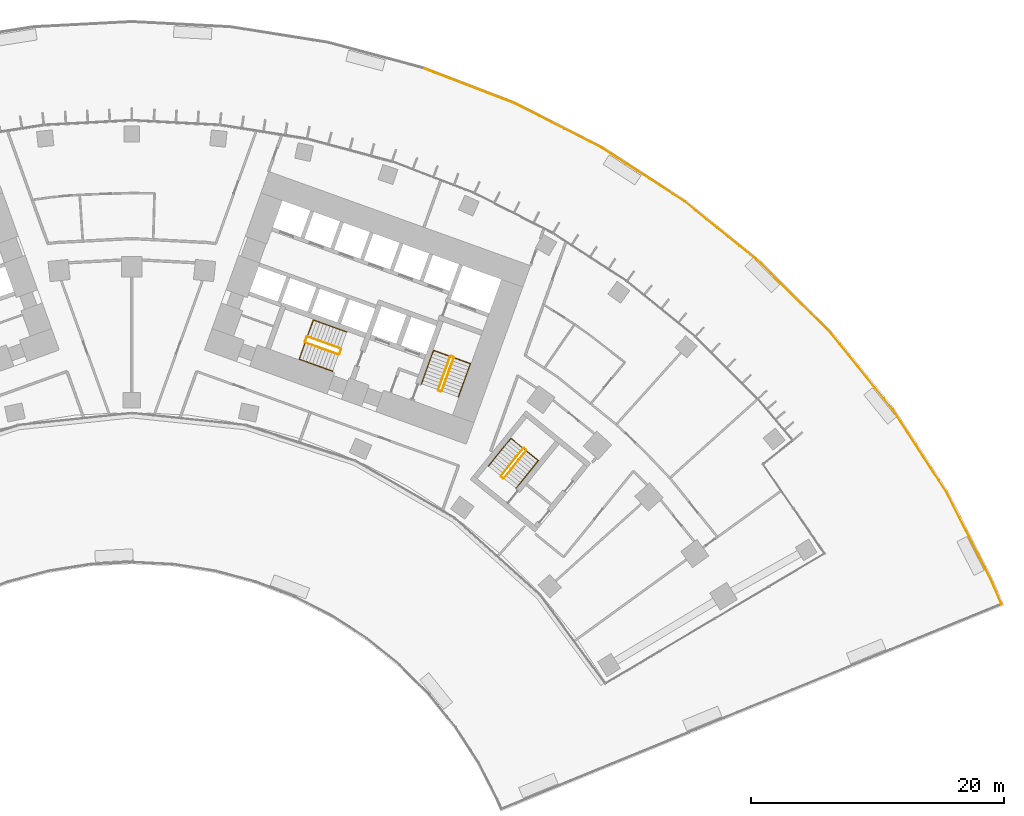
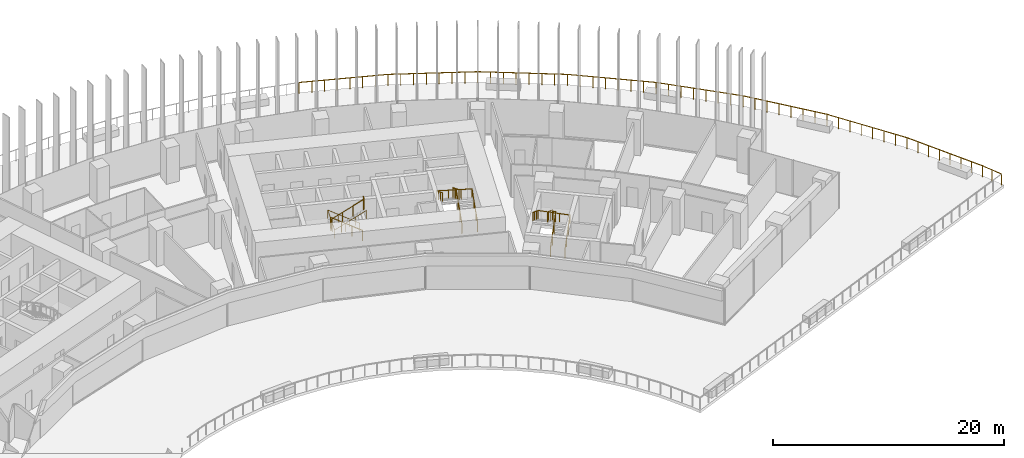
# One storey, part 24 of 24: 10 railings.
"""IFC4 building model written with IfcOpenShell, lengths in metres."""

from ifc_helpers import new_model, si_unit, direction, frame, origin, origin_2d, place, context, subcontext, project, spatial, circle, extrude, material, type_object, element, save


model = new_model("IFC4")

# Units and contexts
model_context = context("Model", 3, precision=1e-05, world=origin(), true_north=direction((0.0, 1.0)))
body_context = subcontext(model_context, "Body", "Model", "MODEL_VIEW")
ifc_project = project(units=[si_unit("LENGTHUNIT", "METRE"), si_unit("AREAUNIT", "SQUARE_METRE"), si_unit("VOLUMEUNIT", "CUBIC_METRE"), si_unit("PLANEANGLEUNIT", "RADIAN"), si_unit("MASSUNIT", "GRAM", prefix="KILO")], contexts=[model_context])

# Site, building, storey
site_placement = place(None, origin())
site = spatial("IfcSite", under=ifc_project, at=site_placement, CompositionType="ELEMENT")
building_placement = place(site_placement, origin())
building = spatial("IfcBuilding", under=site, at=building_placement, Name="Stone Belt Terrace Tower", CompositionType="ELEMENT")
storey_placement = place(building_placement, frame((0.0, 0.0, 30.0)))
storey = spatial("IfcBuildingStorey", under=building, at=storey_placement, Name="L06", CompositionType="ELEMENT", Elevation=30.0)

# Railings
ifc_material_1 = material(Name="Structural steel C345", Category="steel")
railing_type_1 = type_object("IfcRailingType", Name="Stair guard 1100", PredefinedType="GUARDRAIL", material=ifc_material_1)
railing_1_placement = place(storey_placement, frame((24.494140625, 45.174560546875, 0.172607421875)))
element("IfcRailing", 1, at=railing_1_placement, inside=storey, type_object=railing_type_1, Name="L06 ST1B stair guard 1", PredefinedType="GUARDRAIL", context=body_context, shape_type="SweptSolid", body=[
    extrude(circle(Radius=0.02392578125, at=origin_2d()), frame((0.0, 0.0, 1.076171875), z_axis=(0.288228637646, 0.800791768495, 0.525030280985), x_axis=(-0.940908529223, 0.338660803216, 0.0)), (0.0, 0.0, 1.0), 3.289794921875),
    extrude(circle(Radius=0.02392578125, at=origin_2d()), frame((0.9482421875, 2.634521484375, 2.80322265625), z_axis=(-0.424964916, 0.905209821074, 0.0), x_axis=(-0.905209821074, -0.424964916, 0.0)), (0.0, 0.0, 1.0), 0.070556640625),
    extrude(circle(Radius=0.02392578125, at=origin_2d()), frame((0.918212890625, 2.698486328125, 2.80322265625), z_axis=(-0.941105063269, 0.338114270461, 0.0), x_axis=(-0.338114270461, -0.941105063269, 0.0)), (0.0, 0.0, 1.0), 0.199951171875),
    extrude(circle(Radius=0.02099609375, at=origin_2d()), origin(), (0.0, 0.0, 1.0), 1.052001953125),
    extrude(circle(Radius=0.02099609375, at=origin_2d()), frame((0.316162109375, 0.878173828125, 0.57568359375)), (0.0, 0.0, 1.0), 1.052001953125),
    extrude(circle(Radius=0.02099609375, at=origin_2d()), frame((0.632080078125, 1.75634765625, 1.151611328125)), (0.0, 0.0, 1.0), 1.052001953125),
    extrude(circle(Radius=0.02099609375, at=origin_2d()), frame((0.9482421875, 2.634521484375, 1.727294921875)), (0.0, 0.0, 1.0), 1.052001953125),
    extrude(circle(Radius=0.02099609375, at=origin_2d()), frame((0.918212890625, 2.698486328125, 1.727294921875)), (0.0, 0.0, 1.0), 1.052001953125),
    extrude(circle(Radius=0.02099609375, at=origin_2d()), frame((0.72998046875, 2.76611328125, 1.727294921875)), (0.0, 0.0, 1.0), 1.052001953125),
])
railing_2_placement = place(storey_placement, frame((25.16015625, 47.91064453125, 2.07275390625)))
element("IfcRailing", 2, at=railing_2_placement, inside=storey, type_object=railing_type_1, Name="L06 ST1B stair guard 2", PredefinedType="GUARDRAIL", context=body_context, shape_type="SweptSolid", body=[
    extrude(circle(Radius=0.02392578125, at=origin_2d()), frame((0.0, 0.0, 1.076171875), z_axis=(-0.288228637646, -0.800791768495, 0.525030280985), x_axis=(0.940908529223, -0.338660803216, 0.0)), (0.0, 0.0, 1.0), 3.289794921875),
    extrude(circle(Radius=0.02392578125, at=origin_2d()), frame((-0.9482421875, -2.634521484375, 2.80322265625), z_axis=(0.427789722475, -0.903878284585, 0.0), x_axis=(0.903878284585, 0.427789722475, 0.0)), (0.0, 0.0, 1.0), 0.07080078125),
    extrude(circle(Radius=0.02392578125, at=origin_2d()), frame((-0.91796875, -2.698486328125, 2.80322265625), z_axis=(0.940575576748, -0.339584429008, 0.0), x_axis=(0.339584429008, 0.940575576748, 0.0)), (0.0, 0.0, 1.0), 0.199951171875),
    extrude(circle(Radius=0.02099609375, at=origin_2d()), origin(), (0.0, 0.0, 1.0), 1.052001953125),
    extrude(circle(Radius=0.02099609375, at=origin_2d()), frame((-0.316162109375, -0.878173828125, 0.57568359375)), (0.0, 0.0, 1.0), 1.052001953125),
    extrude(circle(Radius=0.02099609375, at=origin_2d()), frame((-0.632080078125, -1.75634765625, 1.151611328125)), (0.0, 0.0, 1.0), 1.052001953125),
    extrude(circle(Radius=0.02099609375, at=origin_2d()), frame((-0.9482421875, -2.634521484375, 1.727294921875)), (0.0, 0.0, 1.0), 1.052001953125),
    extrude(circle(Radius=0.02099609375, at=origin_2d()), frame((-0.91796875, -2.698486328125, 1.727294921875)), (0.0, 0.0, 1.0), 1.052001953125),
    extrude(circle(Radius=0.02099609375, at=origin_2d()), frame((-0.72998046875, -2.766357421875, 1.727294921875)), (0.0, 0.0, 1.0), 1.052001953125),
])
railing_3_placement = place(storey_placement, frame((16.507568359375, 48.527099609375, 0.172607421875)))
element("IfcRailing", 3, at=railing_3_placement, inside=storey, type_object=railing_type_1, Name="L06 ST2B stair guard 1", PredefinedType="GUARDRAIL", context=body_context, shape_type="SweptSolid", body=[
    extrude(circle(Radius=0.02392578125, at=origin_2d()), frame((0.0, 0.0, 1.076171875), z_axis=(-0.800808895155, 0.288160591223, 0.52504150989), x_axis=(-0.338583606334, -0.940936311087, 0.0)), (0.0, 0.0, 1.0), 3.289794921875),
    extrude(circle(Radius=0.02392578125, at=origin_2d()), frame((-2.634521484375, 0.947998046875, 2.80322265625), z_axis=(-0.905209821074, -0.424964916, 0.0), x_axis=(0.424964916, -0.905209821074, 0.0)), (0.0, 0.0, 1.0), 0.070556640625),
    extrude(circle(Radius=0.02392578125, at=origin_2d()), frame((-2.698486328125, 0.91796875, 2.80322265625), z_axis=(-0.338654645739, -0.940910745459, 0.0), x_axis=(0.940910745459, -0.338654645739, 0.0)), (0.0, 0.0, 1.0), 0.400146484375),
    extrude(circle(Radius=0.02099609375, at=origin_2d()), origin(), (0.0, 0.0, 1.0), 1.052001953125),
    extrude(circle(Radius=0.02099609375, at=origin_2d()), frame((-0.878173828125, 0.31591796875, 0.57568359375)), (0.0, 0.0, 1.0), 1.052001953125),
    extrude(circle(Radius=0.02099609375, at=origin_2d()), frame((-1.75634765625, 0.632080078125, 1.151611328125)), (0.0, 0.0, 1.0), 1.052001953125),
    extrude(circle(Radius=0.02099609375, at=origin_2d()), frame((-2.634521484375, 0.947998046875, 1.727294921875)), (0.0, 0.0, 1.0), 1.052001953125),
    extrude(circle(Radius=0.02099609375, at=origin_2d()), frame((-2.698486328125, 0.91796875, 1.727294921875)), (0.0, 0.0, 1.0), 1.052001953125),
    extrude(circle(Radius=0.02099609375, at=origin_2d()), frame((-2.833984375, 0.54150390625, 1.727294921875)), (0.0, 0.0, 1.0), 1.052001953125),
])
railing_4_placement = place(storey_placement, frame((13.703857421875, 49.004638671875, 2.07275390625)))
element("IfcRailing", 4, at=railing_4_placement, inside=storey, type_object=railing_type_1, Name="L06 ST2B stair guard 2", PredefinedType="GUARDRAIL", context=body_context, shape_type="SweptSolid", body=[
    extrude(circle(Radius=0.02392578125, at=origin_2d()), frame((0.0, 0.0, 1.076171875), z_axis=(0.800808895155, -0.288160591223, 0.52504150989), x_axis=(0.338583606334, 0.940936311087, 0.0)), (0.0, 0.0, 1.0), 3.289794921875),
    extrude(circle(Radius=0.02392578125, at=origin_2d()), frame((2.634521484375, -0.947998046875, 2.80322265625), z_axis=(0.905209821074, 0.424964916, 0.0), x_axis=(-0.424964916, 0.905209821074, 0.0)), (0.0, 0.0, 1.0), 0.070556640625),
    extrude(circle(Radius=0.02392578125, at=origin_2d()), frame((2.698486328125, -0.91796875, 2.80322265625), z_axis=(0.338654645739, 0.940910745459, 0.0), x_axis=(-0.940910745459, 0.338654645739, 0.0)), (0.0, 0.0, 1.0), 0.400146484375),
    extrude(circle(Radius=0.02099609375, at=origin_2d()), origin(), (0.0, 0.0, 1.0), 1.052001953125),
    extrude(circle(Radius=0.02099609375, at=origin_2d()), frame((0.878173828125, -0.31591796875, 0.57568359375)), (0.0, 0.0, 1.0), 1.052001953125),
    extrude(circle(Radius=0.02099609375, at=origin_2d()), frame((1.75634765625, -0.632080078125, 1.151611328125)), (0.0, 0.0, 1.0), 1.052001953125),
    extrude(circle(Radius=0.02099609375, at=origin_2d()), frame((2.634521484375, -0.947998046875, 1.727294921875)), (0.0, 0.0, 1.0), 1.052001953125),
    extrude(circle(Radius=0.02099609375, at=origin_2d()), frame((2.698486328125, -0.91796875, 1.727294921875)), (0.0, 0.0, 1.0), 1.052001953125),
    extrude(circle(Radius=0.02099609375, at=origin_2d()), frame((2.833984375, -0.54150390625, 1.727294921875)), (0.0, 0.0, 1.0), 1.052001953125),
])
railing_5_placement = place(storey_placement, frame((29.39794921875, 38.281982421875, 0.172607421875)))
element("IfcRailing", 5, at=railing_5_placement, inside=storey, type_object=railing_type_1, Name="L06 ST3B stair guard 1", PredefinedType="GUARDRAIL", context=body_context, shape_type="SweptSolid", body=[
    extrude(circle(Radius=0.02392578125, at=origin_2d()), frame((0.0, 0.0, 1.076171875), z_axis=(0.536393061503, 0.660769759217, 0.525038864158), x_axis=(-0.776391310223, 0.630251166924, 0.0)), (0.0, 0.0, 1.0), 3.289794921875),
    extrude(circle(Radius=0.02392578125, at=origin_2d()), frame((1.7646484375, 2.173828125, 2.80322265625), z_axis=(-0.103251414163, 0.994655289773, 0.0), x_axis=(-0.994655289773, -0.103251414163, 0.0)), (0.0, 0.0, 1.0), 0.071044921875),
    extrude(circle(Radius=0.02392578125, at=origin_2d()), frame((1.75732421875, 2.244384765625, 2.80322265625), z_axis=(-0.776561986372, 0.630040856868, 0.0), x_axis=(-0.630040856868, -0.776561986372, 0.0)), (0.0, 0.0, 1.0), 0.199951171875),
    extrude(circle(Radius=0.02099609375, at=origin_2d()), origin(), (0.0, 0.0, 1.0), 1.052001953125),
    extrude(circle(Radius=0.02099609375, at=origin_2d()), frame((0.588134765625, 0.724609375, 0.57568359375)), (0.0, 0.0, 1.0), 1.052001953125),
    extrude(circle(Radius=0.02099609375, at=origin_2d()), frame((1.176513671875, 1.44921875, 1.151611328125)), (0.0, 0.0, 1.0), 1.052001953125),
    extrude(circle(Radius=0.02099609375, at=origin_2d()), frame((1.7646484375, 2.173828125, 1.727294921875)), (0.0, 0.0, 1.0), 1.052001953125),
    extrude(circle(Radius=0.02099609375, at=origin_2d()), frame((1.75732421875, 2.244384765625, 1.727294921875)), (0.0, 0.0, 1.0), 1.052001953125),
    extrude(circle(Radius=0.02099609375, at=origin_2d()), frame((1.60205078125, 2.370361328125, 1.727294921875)), (0.0, 0.0, 1.0), 1.052001953125),
])
railing_6_placement = place(storey_placement, frame((30.9296875, 40.64501953125, 2.07275390625)))
element("IfcRailing", 6, at=railing_6_placement, inside=storey, type_object=railing_type_1, Name="L06 ST3B stair guard 2", PredefinedType="GUARDRAIL", context=body_context, shape_type="SweptSolid", body=[
    extrude(circle(Radius=0.02392578125, at=origin_2d()), frame((0.0, 0.0, 1.076171875), z_axis=(-0.536366759382, -0.660811565066, 0.525013118792), x_axis=(0.776425942316, -0.630208502084, 0.0)), (0.0, 0.0, 1.0), 3.2900390625),
    extrude(circle(Radius=0.02392578125, at=origin_2d()), frame((-1.7646484375, -2.174072265625, 2.80322265625), z_axis=(0.103606084259, -0.994618408891, 0.0), x_axis=(0.994618408891, 0.103606084259, 0.0)), (0.0, 0.0, 1.0), 0.07080078125),
    extrude(circle(Radius=0.02392578125, at=origin_2d()), frame((-1.75732421875, -2.244384765625, 2.80322265625), z_axis=(0.776561986372, -0.630040856868, 0.0), x_axis=(0.630040856868, 0.776561986372, 0.0)), (0.0, 0.0, 1.0), 0.199951171875),
    extrude(circle(Radius=0.02099609375, at=origin_2d()), origin(), (0.0, 0.0, 1.0), 1.052001953125),
    extrude(circle(Radius=0.02099609375, at=origin_2d()), frame((-0.588134765625, -0.724609375, 0.57568359375)), (0.0, 0.0, 1.0), 1.052001953125),
    extrude(circle(Radius=0.02099609375, at=origin_2d()), frame((-1.176513671875, -1.449462890625, 1.151611328125)), (0.0, 0.0, 1.0), 1.052001953125),
    extrude(circle(Radius=0.02099609375, at=origin_2d()), frame((-1.7646484375, -2.174072265625, 1.727294921875)), (0.0, 0.0, 1.0), 1.052001953125),
    extrude(circle(Radius=0.02099609375, at=origin_2d()), frame((-1.75732421875, -2.244384765625, 1.727294921875)), (0.0, 0.0, 1.0), 1.052001953125),
    extrude(circle(Radius=0.02099609375, at=origin_2d()), frame((-1.60205078125, -2.370361328125, 1.727294921875)), (0.0, 0.0, 1.0), 1.052001953125),
])
railing_type_2 = type_object("IfcRailingType", Name="Stair handrail 900", PredefinedType="HANDRAIL", material=ifc_material_1)
railing_7_placement = place(storey_placement, frame((25.8115234375, 44.700439453125, 0.172607421875)))
element("IfcRailing", 7, at=railing_7_placement, inside=storey, type_object=railing_type_2, Name="L06 ST1B stair handrail 1", PredefinedType="HANDRAIL", context=body_context, shape_type="SweptSolid", body=[
    extrude(circle(Radius=0.02392578125, at=origin_2d()), frame((0.0, 0.0, 0.8759765625), z_axis=(0.288228637646, 0.800791768495, 0.525030280985), x_axis=(-0.940908529223, 0.338660803216, 0.0)), (0.0, 0.0, 1.0), 3.289794921875),
    extrude(circle(Radius=0.02392578125, at=origin_2d()), frame((0.9482421875, 2.634521484375, 2.60302734375), z_axis=(-0.939460408074, 0.338105101667, 0.055669398135), x_axis=(-0.338630230244, -0.940919532779, 0.0)), (0.0, 0.0, 1.0), 3.10498046875),
    extrude(circle(Radius=0.02392578125, at=origin_2d()), frame((-1.96875, 3.684326171875, 2.77587890625), z_axis=(-0.288160591223, -0.800808895155, 0.52504150989), x_axis=(0.940936311087, -0.338583606334, 0.0)), (0.0, 0.0, 1.0), 3.289794921875),
    extrude(circle(Radius=0.02099609375, at=origin_2d()), origin(), (0.0, 0.0, 1.0), 0.851806640625),
    extrude(circle(Radius=0.02099609375, at=origin_2d()), frame((0.316162109375, 0.878173828125, 0.57568359375)), (0.0, 0.0, 1.0), 0.851806640625),
    extrude(circle(Radius=0.02099609375, at=origin_2d()), frame((0.632080078125, 1.75634765625, 1.151611328125)), (0.0, 0.0, 1.0), 0.851806640625),
    extrude(circle(Radius=0.02099609375, at=origin_2d()), frame((0.9482421875, 2.634521484375, 1.727294921875)), (0.0, 0.0, 1.0), 0.851806640625),
    extrude(circle(Radius=0.02099609375, at=origin_2d()), frame((-0.024169921875, 2.984375, 1.784912109375)), (0.0, 0.0, 1.0), 0.851806640625),
    extrude(circle(Radius=0.02099609375, at=origin_2d()), frame((-0.996337890625, 3.33447265625, 1.842529296875)), (0.0, 0.0, 1.0), 0.851806640625),
    extrude(circle(Radius=0.02099609375, at=origin_2d()), frame((-1.96875, 3.684326171875, 1.900146484375)), (0.0, 0.0, 1.0), 0.851806640625),
    extrude(circle(Radius=0.02099609375, at=origin_2d()), frame((-2.28466796875, 2.80615234375, 2.475830078125)), (0.0, 0.0, 1.0), 0.851806640625),
    extrude(circle(Radius=0.02099609375, at=origin_2d()), frame((-2.600830078125, 1.927978515625, 3.0517578125)), (0.0, 0.0, 1.0), 0.851806640625),
    extrude(circle(Radius=0.02099609375, at=origin_2d()), frame((-2.916748046875, 1.0498046875, 3.62744140625)), (0.0, 0.0, 1.0), 0.851806640625),
])
railing_8_placement = place(storey_placement, frame((16.981689453125, 49.84423828125, 0.172607421875)))
element("IfcRailing", 8, at=railing_8_placement, inside=storey, type_object=railing_type_2, Name="L06 ST2B stair handrail 1", PredefinedType="HANDRAIL", context=body_context, shape_type="SweptSolid", body=[
    extrude(circle(Radius=0.02392578125, at=origin_2d()), frame((0.0, 0.0, 0.8759765625), z_axis=(-0.800791768495, 0.288228637646, 0.525030280985), x_axis=(-0.338660803216, -0.940908529223, 0.0)), (0.0, 0.0, 1.0), 3.289794921875),
    extrude(circle(Radius=0.02392578125, at=origin_2d()), frame((-2.634521484375, 0.9482421875, 2.60302734375), z_axis=(-0.338158948057, -0.939634149308, 0.052308615955), x_axis=(0.940922302781, -0.338622533404, 0.0)), (0.0, 0.0, 1.0), 3.304443359375),
    extrude(circle(Radius=0.02392578125, at=origin_2d()), frame((-3.751953125, -2.15673828125, 2.77587890625), z_axis=(0.800791768495, -0.288228637646, 0.525030280985), x_axis=(0.338660803216, 0.940908529223, 0.0)), (0.0, 0.0, 1.0), 3.289794921875),
    extrude(circle(Radius=0.02099609375, at=origin_2d()), origin(), (0.0, 0.0, 1.0), 0.851806640625),
    extrude(circle(Radius=0.02099609375, at=origin_2d()), frame((-0.878173828125, 0.316162109375, 0.57568359375)), (0.0, 0.0, 1.0), 0.851806640625),
    extrude(circle(Radius=0.02099609375, at=origin_2d()), frame((-1.75634765625, 0.632080078125, 1.151611328125)), (0.0, 0.0, 1.0), 0.851806640625),
    extrude(circle(Radius=0.02099609375, at=origin_2d()), frame((-2.634521484375, 0.9482421875, 1.727294921875)), (0.0, 0.0, 1.0), 0.851806640625),
    extrude(circle(Radius=0.02099609375, at=origin_2d()), frame((-3.007080078125, -0.086669921875, 1.784912109375)), (0.0, 0.0, 1.0), 0.851806640625),
    extrude(circle(Radius=0.02099609375, at=origin_2d()), frame((-3.37939453125, -1.121826171875, 1.842529296875)), (0.0, 0.0, 1.0), 0.851806640625),
    extrude(circle(Radius=0.02099609375, at=origin_2d()), frame((-3.751953125, -2.15673828125, 1.900146484375)), (0.0, 0.0, 1.0), 0.851806640625),
    extrude(circle(Radius=0.02099609375, at=origin_2d()), frame((-2.873779296875, -2.472900390625, 2.475830078125)), (0.0, 0.0, 1.0), 0.851806640625),
    extrude(circle(Radius=0.02099609375, at=origin_2d()), frame((-1.99560546875, -2.788818359375, 3.0517578125)), (0.0, 0.0, 1.0), 0.851806640625),
    extrude(circle(Radius=0.02099609375, at=origin_2d()), frame((-1.117431640625, -3.10498046875, 3.62744140625)), (0.0, 0.0, 1.0), 0.851806640625),
])
railing_9_placement = place(storey_placement, frame((30.36865234375, 37.494140625, 0.172607421875)))
element("IfcRailing", 9, at=railing_9_placement, inside=storey, type_object=railing_type_2, Name="L06 ST3B stair handrail 1", PredefinedType="HANDRAIL", context=body_context, shape_type="SweptSolid", body=[
    extrude(circle(Radius=0.02392578125, at=origin_2d()), frame((0.0, 0.0, 0.8759765625), z_axis=(0.536366759382, 0.660811565066, 0.525013118792), x_axis=(-0.776425942316, 0.630208502084, 0.0)), (0.0, 0.0, 1.0), 3.2900390625),
    extrude(circle(Radius=0.02392578125, at=origin_2d()), frame((1.7646484375, 2.174072265625, 2.60302734375), z_axis=(-0.774950814199, 0.629011171817, 0.061613158501), x_axis=(-0.630208502084, -0.776425942316, 0.0)), (0.0, 0.0, 1.0), 2.805419921875),
    extrude(circle(Radius=0.02392578125, at=origin_2d()), frame((-0.409423828125, 3.938720703125, 2.77587890625), z_axis=(-0.536366759382, -0.660811565066, 0.525013118792), x_axis=(0.776425942316, -0.630208502084, 0.0)), (0.0, 0.0, 1.0), 3.2900390625),
    extrude(circle(Radius=0.02099609375, at=origin_2d()), origin(), (0.0, 0.0, 1.0), 0.851806640625),
    extrude(circle(Radius=0.02099609375, at=origin_2d()), frame((0.588134765625, 0.724609375, 0.57568359375)), (0.0, 0.0, 1.0), 0.851806640625),
    extrude(circle(Radius=0.02099609375, at=origin_2d()), frame((1.176513671875, 1.449462890625, 1.151611328125)), (0.0, 0.0, 1.0), 0.851806640625),
    extrude(circle(Radius=0.02099609375, at=origin_2d()), frame((1.7646484375, 2.174072265625, 1.727294921875)), (0.0, 0.0, 1.0), 0.851806640625),
    extrude(circle(Radius=0.02099609375, at=origin_2d()), frame((1.0400390625, 2.76220703125, 1.784912109375)), (0.0, 0.0, 1.0), 0.851806640625),
    extrude(circle(Radius=0.02099609375, at=origin_2d()), frame((0.315185546875, 3.3505859375, 1.842529296875)), (0.0, 0.0, 1.0), 0.851806640625),
    extrude(circle(Radius=0.02099609375, at=origin_2d()), frame((-0.409423828125, 3.938720703125, 1.900146484375)), (0.0, 0.0, 1.0), 0.851806640625),
    extrude(circle(Radius=0.02099609375, at=origin_2d()), frame((-0.99755859375, 3.214111328125, 2.475830078125)), (0.0, 0.0, 1.0), 0.851806640625),
    extrude(circle(Radius=0.02099609375, at=origin_2d()), frame((-1.5859375, 2.4892578125, 3.0517578125)), (0.0, 0.0, 1.0), 0.851806640625),
    extrude(circle(Radius=0.02099609375, at=origin_2d()), frame((-2.174072265625, 1.7646484375, 3.62744140625)), (0.0, 0.0, 1.0), 0.851806640625),
])
ifc_material_2 = material(Name="Stainless steel AISI 304", Category="steel")
railing_type_3 = type_object("IfcRailingType", Name="Terrace guard 1200", PredefinedType="GUARDRAIL", material=ifc_material_2)
railing_10_placement = place(storey_placement, frame((68.73681640625, 28.334716796875, 0.0)))
element("IfcRailing", 10, at=railing_10_placement, inside=storey, type_object=railing_type_3, Name="GUARD L06 1.3", PredefinedType="GUARDRAIL", context=body_context, shape_type="SweptSolid", body=[
    extrude(circle(Radius=0.02490234375, at=origin_2d()), frame((0.0, 0.0, 1.1748046875), z_axis=(-0.393065143018, 0.919510627097, 0.0), x_axis=(-0.919510627097, -0.393065143018, 0.0)), (0.0, 0.0, 1.0), 2.0703125),
    extrude(circle(Radius=0.02490234375, at=origin_2d()), frame((-0.813720703125, 1.903564453125, 1.1748046875), z_axis=(-0.453974638592, 0.891014605669, 0.0), x_axis=(-0.891014605669, -0.453974638592, 0.0)), (0.0, 0.0, 1.0), 7.784912109375),
    extrude(circle(Radius=0.02490234375, at=origin_2d()), frame((-4.347900390625, 8.840087890625, 1.1748046875), z_axis=(-0.544655305752, 0.838660001381, 0.0), x_axis=(-0.838660001381, -0.544655305752, 0.0)), (0.0, 0.0, 1.0), 7.782470703125),
    extrude(circle(Radius=0.02490234375, at=origin_2d()), frame((-8.586669921875, 15.366943359375, 1.1748046875), z_axis=(-0.629305615192, 0.777157926478, 0.0), x_axis=(-0.777157926478, -0.629305615192, 0.0)), (0.0, 0.0, 1.0), 7.7822265625),
    extrude(circle(Radius=0.02490234375, at=origin_2d()), frame((-13.484130859375, 21.4150390625, 1.1748046875), z_axis=(-0.707106781187, 0.707106781187, 0.0), x_axis=(-0.707106781187, -0.707106781187, 0.0)), (0.0, 0.0, 1.0), 7.7822265625),
    extrude(circle(Radius=0.02490234375, at=origin_2d()), frame((-18.987060546875, 26.91796875, 1.1748046875), z_axis=(-0.777157926478, 0.629305615192, 0.0), x_axis=(-0.629305615192, -0.777157926478, 0.0)), (0.0, 0.0, 1.0), 7.7822265625),
    extrude(circle(Radius=0.02490234375, at=origin_2d()), frame((-25.03515625, 31.8154296875, 1.1748046875), z_axis=(-0.838660001381, 0.544655305752, 0.0), x_axis=(-0.544655305752, -0.838660001381, 0.0)), (0.0, 0.0, 1.0), 7.782470703125),
    extrude(circle(Radius=0.02490234375, at=origin_2d()), frame((-31.56201171875, 36.05419921875, 1.1748046875), z_axis=(-0.891013399759, 0.453977005419, 0.0), x_axis=(-0.453977005419, -0.891013399759, 0.0)), (0.0, 0.0, 1.0), 7.7822265625),
    extrude(circle(Radius=0.02490234375, at=origin_2d()), frame((-38.49609375, 39.587158203125, 1.1748046875), z_axis=(-0.933574231991, 0.358384086369, 0.0), x_axis=(-0.358384086369, -0.933574231991, 0.0)), (0.0, 0.0, 1.0), 7.7822265625),
    extrude(circle(Radius=0.02001953125, at=origin_2d()), origin(), (0.0, 0.0, 1.0), 1.14990234375),
    extrude(circle(Radius=0.02001953125, at=origin_2d()), frame((-0.40673828125, 0.95166015625, 0.0)), (0.0, 0.0, 1.0), 1.14990234375),
    extrude(circle(Radius=0.02001953125, at=origin_2d()), frame((-0.813720703125, 1.903564453125, 0.0)), (0.0, 0.0, 1.0), 1.14990234375),
    extrude(circle(Radius=0.02001953125, at=origin_2d()), frame((-1.318603515625, 2.89453125, 0.0)), (0.0, 0.0, 1.0), 1.14990234375),
    extrude(circle(Radius=0.02001953125, at=origin_2d()), frame((-1.823486328125, 3.885498046875, 0.0)), (0.0, 0.0, 1.0), 1.14990234375),
    extrude(circle(Radius=0.02001953125, at=origin_2d()), frame((-2.328369140625, 4.87646484375, 0.0)), (0.0, 0.0, 1.0), 1.14990234375),
    extrude(circle(Radius=0.02001953125, at=origin_2d()), frame((-2.833251953125, 5.8671875, 0.0)), (0.0, 0.0, 1.0), 1.14990234375),
    extrude(circle(Radius=0.02001953125, at=origin_2d()), frame((-3.338134765625, 6.858154296875, 0.0)), (0.0, 0.0, 1.0), 1.14990234375),
    extrude(circle(Radius=0.02001953125, at=origin_2d()), frame((-3.843017578125, 7.84912109375, 0.0)), (0.0, 0.0, 1.0), 1.14990234375),
    extrude(circle(Radius=0.02001953125, at=origin_2d()), frame((-4.347900390625, 8.840087890625, 0.0)), (0.0, 0.0, 1.0), 1.14990234375),
    extrude(circle(Radius=0.02001953125, at=origin_2d()), frame((-4.953369140625, 9.7724609375, 0.0)), (0.0, 0.0, 1.0), 1.14990234375),
    extrude(circle(Radius=0.02001953125, at=origin_2d()), frame((-5.55908203125, 10.704833984375, 0.0)), (0.0, 0.0, 1.0), 1.14990234375),
    extrude(circle(Radius=0.02001953125, at=origin_2d()), frame((-6.16455078125, 11.63720703125, 0.0)), (0.0, 0.0, 1.0), 1.14990234375),
    extrude(circle(Radius=0.02001953125, at=origin_2d()), frame((-6.77001953125, 12.56982421875, 0.0)), (0.0, 0.0, 1.0), 1.14990234375),
    extrude(circle(Radius=0.02001953125, at=origin_2d()), frame((-7.37548828125, 13.502197265625, 0.0)), (0.0, 0.0, 1.0), 1.14990234375),
    extrude(circle(Radius=0.02001953125, at=origin_2d()), frame((-7.981201171875, 14.4345703125, 0.0)), (0.0, 0.0, 1.0), 1.14990234375),
    extrude(circle(Radius=0.02001953125, at=origin_2d()), frame((-8.586669921875, 15.366943359375, 0.0)), (0.0, 0.0, 1.0), 1.14990234375),
    extrude(circle(Radius=0.02001953125, at=origin_2d()), frame((-9.286376953125, 16.23095703125, 0.0)), (0.0, 0.0, 1.0), 1.14990234375),
    extrude(circle(Radius=0.02001953125, at=origin_2d()), frame((-9.98583984375, 17.094970703125, 0.0)), (0.0, 0.0, 1.0), 1.14990234375),
    extrude(circle(Radius=0.02001953125, at=origin_2d()), frame((-10.685546875, 17.958984375, 0.0)), (0.0, 0.0, 1.0), 1.14990234375),
    extrude(circle(Radius=0.02001953125, at=origin_2d()), frame((-11.38525390625, 18.822998046875, 0.0)), (0.0, 0.0, 1.0), 1.14990234375),
    extrude(circle(Radius=0.02001953125, at=origin_2d()), frame((-12.0849609375, 19.68701171875, 0.0)), (0.0, 0.0, 1.0), 1.14990234375),
    extrude(circle(Radius=0.02001953125, at=origin_2d()), frame((-12.784423828125, 20.551025390625, 0.0)), (0.0, 0.0, 1.0), 1.14990234375),
    extrude(circle(Radius=0.02001953125, at=origin_2d()), frame((-13.484130859375, 21.4150390625, 0.0)), (0.0, 0.0, 1.0), 1.14990234375),
    extrude(circle(Radius=0.02001953125, at=origin_2d()), frame((-14.270263671875, 22.201171875, 0.0)), (0.0, 0.0, 1.0), 1.14990234375),
    extrude(circle(Radius=0.02001953125, at=origin_2d()), frame((-15.056396484375, 22.9873046875, 0.0)), (0.0, 0.0, 1.0), 1.14990234375),
    extrude(circle(Radius=0.02001953125, at=origin_2d()), frame((-15.842529296875, 23.7734375, 0.0)), (0.0, 0.0, 1.0), 1.14990234375),
    extrude(circle(Radius=0.02001953125, at=origin_2d()), frame((-16.628662109375, 24.5595703125, 0.0)), (0.0, 0.0, 1.0), 1.14990234375),
    extrude(circle(Radius=0.02001953125, at=origin_2d()), frame((-17.414794921875, 25.345703125, 0.0)), (0.0, 0.0, 1.0), 1.14990234375),
    extrude(circle(Radius=0.02001953125, at=origin_2d()), frame((-18.200927734375, 26.1318359375, 0.0)), (0.0, 0.0, 1.0), 1.14990234375),
    extrude(circle(Radius=0.02001953125, at=origin_2d()), frame((-18.987060546875, 26.91796875, 0.0)), (0.0, 0.0, 1.0), 1.14990234375),
    extrude(circle(Radius=0.02001953125, at=origin_2d()), frame((-19.85107421875, 27.61767578125, 0.0)), (0.0, 0.0, 1.0), 1.14990234375),
    extrude(circle(Radius=0.02001953125, at=origin_2d()), frame((-20.715087890625, 28.317138671875, 0.0)), (0.0, 0.0, 1.0), 1.14990234375),
    extrude(circle(Radius=0.02001953125, at=origin_2d()), frame((-21.5791015625, 29.016845703125, 0.0)), (0.0, 0.0, 1.0), 1.14990234375),
    extrude(circle(Radius=0.02001953125, at=origin_2d()), frame((-22.443115234375, 29.716552734375, 0.0)), (0.0, 0.0, 1.0), 1.14990234375),
    extrude(circle(Radius=0.02001953125, at=origin_2d()), frame((-23.30712890625, 30.416259765625, 0.0)), (0.0, 0.0, 1.0), 1.14990234375),
    extrude(circle(Radius=0.02001953125, at=origin_2d()), frame((-24.171142578125, 31.11572265625, 0.0)), (0.0, 0.0, 1.0), 1.14990234375),
    extrude(circle(Radius=0.02001953125, at=origin_2d()), frame((-25.03515625, 31.8154296875, 0.0)), (0.0, 0.0, 1.0), 1.14990234375),
    extrude(circle(Radius=0.02001953125, at=origin_2d()), frame((-25.967529296875, 32.4208984375, 0.0)), (0.0, 0.0, 1.0), 1.14990234375),
    extrude(circle(Radius=0.02001953125, at=origin_2d()), frame((-26.89990234375, 33.026611328125, 0.0)), (0.0, 0.0, 1.0), 1.14990234375),
    extrude(circle(Radius=0.02001953125, at=origin_2d()), frame((-27.832275390625, 33.632080078125, 0.0)), (0.0, 0.0, 1.0), 1.14990234375),
    extrude(circle(Radius=0.02001953125, at=origin_2d()), frame((-28.764892578125, 34.237548828125, 0.0)), (0.0, 0.0, 1.0), 1.14990234375),
    extrude(circle(Radius=0.02001953125, at=origin_2d()), frame((-29.697265625, 34.843017578125, 0.0)), (0.0, 0.0, 1.0), 1.14990234375),
    extrude(circle(Radius=0.02001953125, at=origin_2d()), frame((-30.629638671875, 35.44873046875, 0.0)), (0.0, 0.0, 1.0), 1.14990234375),
    extrude(circle(Radius=0.02001953125, at=origin_2d()), frame((-31.56201171875, 36.05419921875, 0.0)), (0.0, 0.0, 1.0), 1.14990234375),
    extrude(circle(Radius=0.02001953125, at=origin_2d()), frame((-32.552490234375, 36.558837890625, 0.0)), (0.0, 0.0, 1.0), 1.14990234375),
    extrude(circle(Radius=0.02001953125, at=origin_2d()), frame((-33.543212890625, 37.063720703125, 0.0)), (0.0, 0.0, 1.0), 1.14990234375),
    extrude(circle(Radius=0.02001953125, at=origin_2d()), frame((-34.53369140625, 37.568359375, 0.0)), (0.0, 0.0, 1.0), 1.14990234375),
    extrude(circle(Radius=0.02001953125, at=origin_2d()), frame((-35.5244140625, 38.072998046875, 0.0)), (0.0, 0.0, 1.0), 1.14990234375),
    extrude(circle(Radius=0.02001953125, at=origin_2d()), frame((-36.514892578125, 38.57763671875, 0.0)), (0.0, 0.0, 1.0), 1.14990234375),
    extrude(circle(Radius=0.02001953125, at=origin_2d()), frame((-37.505615234375, 39.08251953125, 0.0)), (0.0, 0.0, 1.0), 1.14990234375),
    extrude(circle(Radius=0.02001953125, at=origin_2d()), frame((-38.49609375, 39.587158203125, 0.0)), (0.0, 0.0, 1.0), 1.14990234375),
    extrude(circle(Radius=0.02001953125, at=origin_2d()), frame((-39.533935546875, 39.985595703125, 0.0)), (0.0, 0.0, 1.0), 1.14990234375),
    extrude(circle(Radius=0.02001953125, at=origin_2d()), frame((-40.572021484375, 40.384033203125, 0.0)), (0.0, 0.0, 1.0), 1.14990234375),
    extrude(circle(Radius=0.02001953125, at=origin_2d()), frame((-41.60986328125, 40.782470703125, 0.0)), (0.0, 0.0, 1.0), 1.14990234375),
    extrude(circle(Radius=0.02001953125, at=origin_2d()), frame((-42.647705078125, 41.180908203125, 0.0)), (0.0, 0.0, 1.0), 1.14990234375),
    extrude(circle(Radius=0.02001953125, at=origin_2d()), frame((-43.685546875, 41.579345703125, 0.0)), (0.0, 0.0, 1.0), 1.14990234375),
    extrude(circle(Radius=0.02001953125, at=origin_2d()), frame((-44.7236328125, 41.977783203125, 0.0)), (0.0, 0.0, 1.0), 1.14990234375),
    extrude(circle(Radius=0.02001953125, at=origin_2d()), frame((-45.761474609375, 42.376220703125, 0.0)), (0.0, 0.0, 1.0), 1.14990234375),
])

save(model, "model.ifc")
